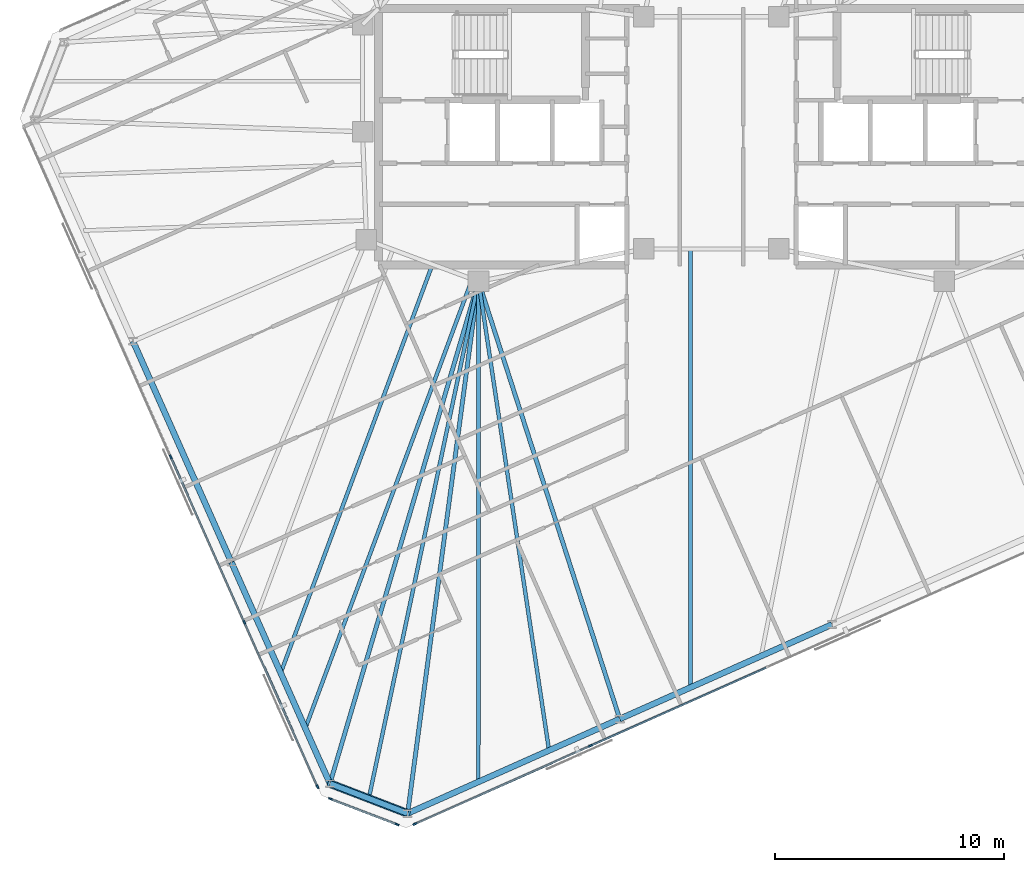
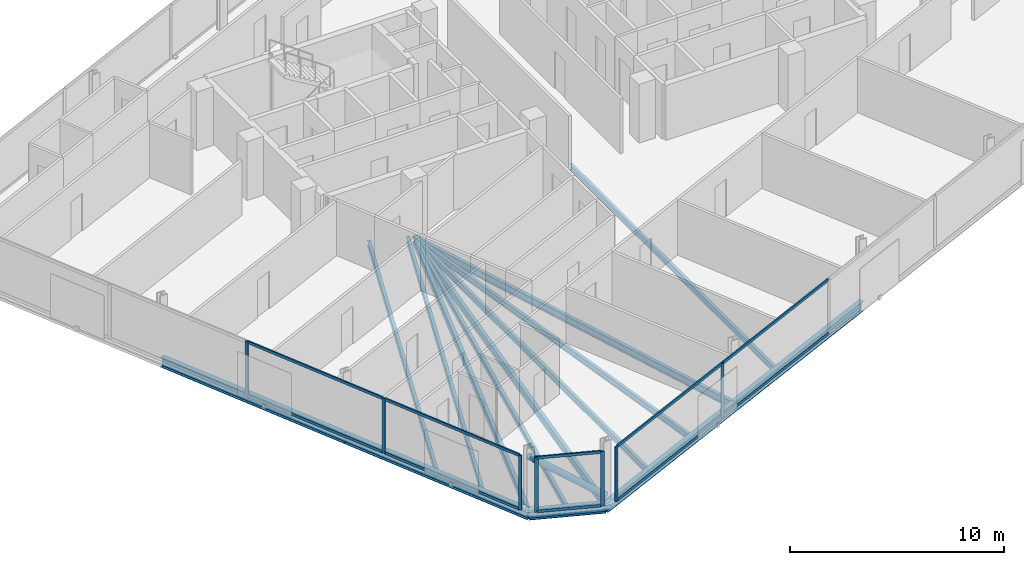
# One storey, part 5 of 19: 18 members, 14 beams, 3 elements without a shape of their own.
"""IFC4 building model written with IfcOpenShell, lengths in metres."""

import ifcopenshell
import ifcopenshell.guid

model = None  # the IFC model being written
_history = None  # IfcOwnerHistory: only IFC2X3 demands one
_inside = {}  # id of a spatial element -> (the spatial element, [elements in it])
_under = {}  # id of a project, library or spatial element -> (it, [spatial elements below it])
_declared = {}  # id of a project -> (the project, [libraries it declares])
_typed = {}  # id of a type object -> (the type object, [elements of that type])
_made_of = {}  # id of a material, layer set ... -> (it, [elements and type objects made of it])


def new_model(schema):
    """Start an empty IFC model of exactly this schema.

    Asked for "IFC4X3", IfcOpenShell would pick the latest addendum, in which some entities
    have other attributes; the version numbers below select the first issue.
    IFC2X3 requires an IfcOwnerHistory on every rooted entity: one is made here for all.
    """
    global model, _history
    if schema == "IFC4X3":
        model = ifcopenshell.file(schema_version=(4, 3, 0, 0))
    else:
        model = ifcopenshell.file(schema=schema)
    _inside.clear()
    _under.clear()
    _declared.clear()
    _typed.clear()
    _made_of.clear()
    _history = None
    if model.schema == "IFC2X3":
        org = make("IfcOrganization", Name="unknown")
        user = make(
            "IfcPersonAndOrganization",
            ThePerson=make("IfcPerson", FamilyName="unknown"),
            TheOrganization=org,
        )
        app = make(
            "IfcApplication",
            ApplicationDeveloper=org,
            Version="unknown",
            ApplicationFullName="unknown",
            ApplicationIdentifier="unknown",
        )
        _history = make(
            "IfcOwnerHistory",
            OwningUser=user,
            OwningApplication=app,
            ChangeAction="ADDED",
            CreationDate=0,
        )
    return model


def make(cls, **values):
    """One entity of the class cls with the attributes given. An attribute that is None is left unset."""
    return model.create_entity(
        cls, **{name: value for name, value in values.items() if value is not None}
    )


def rooted(cls, **values):
    """An entity with a GlobalId (a new one), such as an element, a storey or a relation."""
    return make(cls, GlobalId=ifcopenshell.guid.new(), OwnerHistory=_history, **values)


def si_unit(unit_type, name, prefix=None):
    """IfcSIUnit, for example si_unit("LENGTHUNIT", "METRE", prefix="MILLI")."""
    return make("IfcSIUnit", UnitType=unit_type, Prefix=prefix, Name=name)


def assignment(units):
    """IfcUnitAssignment: the units of a project."""
    return None if units is None else make("IfcUnitAssignment", Units=units)


def point(xyz):
    """IfcCartesianPoint."""
    return None if xyz is None else make("IfcCartesianPoint", Coordinates=xyz)


def direction(xyz):
    """IfcDirection."""
    return None if xyz is None else make("IfcDirection", DirectionRatios=xyz)


def frame(location, z_axis=None, x_axis=None):
    """IfcAxis2Placement3D, a coordinate frame: its origin and axes. An axis left out is left unset."""
    return make(
        "IfcAxis2Placement3D",
        Location=point(location),
        Axis=direction(z_axis),
        RefDirection=direction(x_axis),
    )


def frame_2d(location, x_axis=None):
    """IfcAxis2Placement2D, a coordinate frame in the plane: its origin and x axis."""
    return make(
        "IfcAxis2Placement2D", Location=point(location), RefDirection=direction(x_axis)
    )


def origin():
    """The frame at (0, 0, 0) with its axes left unset."""
    return frame((0.0, 0.0, 0.0))


def origin_2d():
    """The frame at (0, 0) in the plane with its x axis left unset."""
    return frame_2d((0.0, 0.0))


def place(relative_to, where):
    """IfcLocalPlacement: puts the frame where relative to a parent placement (None: the world)."""
    return make(
        "IfcLocalPlacement", PlacementRelTo=relative_to, RelativePlacement=where
    )


def context(
    kind, dimensions, precision=None, world=None, true_north=None, identifier=None
):
    """IfcGeometricRepresentationContext, for example the 3D "Model" context."""
    return make(
        "IfcGeometricRepresentationContext",
        ContextIdentifier=identifier,
        ContextType=kind,
        CoordinateSpaceDimension=dimensions,
        Precision=precision,
        WorldCoordinateSystem=world,
        TrueNorth=true_north,
    )


def subcontext(parent, identifier, kind, view, scale=None):
    """IfcGeometricRepresentationSubContext, for example "Body" below "Model"."""
    return make(
        "IfcGeometricRepresentationSubContext",
        ContextIdentifier=identifier,
        ContextType=kind,
        ParentContext=parent,
        TargetScale=scale,
        TargetView=view,
    )


def project(units=None, contexts=None):
    """IfcProject with its units and contexts."""
    return rooted(
        "IfcProject",
        Name="project",
        RepresentationContexts=contexts,
        UnitsInContext=assignment(units),
    )


def spatial(cls, under=None, at=None, **own):
    """A site, building, storey or space (cls), placed at a placement, below another one or the project."""
    s = rooted(cls, ObjectPlacement=at, **own)
    if under is not None:
        _under.setdefault(under.id(), (under, []))[1].append(s)
    return s


def profile(cls, at=None, kind="AREA", **sizes):
    """A parametric profile (cls). Its sizes go by their IFC names, for example OverallWidth=200.0."""
    return make(cls, ProfileType=kind, Position=at, **sizes)


def rectangle(**sizes):
    """IfcRectangleProfileDef."""
    return profile("IfcRectangleProfileDef", **sizes)


def hollow_circle(**sizes):
    """IfcCircleHollowProfileDef."""
    return profile("IfcCircleHollowProfileDef", **sizes)


def i_section(**sizes):
    """IfcIShapeProfileDef."""
    return profile("IfcIShapeProfileDef", **sizes)


def extrude(swept, where, along, depth):
    """IfcExtrudedAreaSolid: the profile swept, set in the frame where, extruded along a direction by depth."""
    return make(
        "IfcExtrudedAreaSolid",
        SweptArea=swept,
        Position=where,
        ExtrudedDirection=direction(along),
        Depth=depth,
    )


def shape(context_of_items, identifier, shape_type, items):
    """IfcShapeRepresentation: the items that make up one representation, for example the "Body"."""
    return make(
        "IfcShapeRepresentation",
        ContextOfItems=context_of_items,
        RepresentationIdentifier=identifier,
        RepresentationType=shape_type,
        Items=items,
    )


def material(Name=None, Category=None):
    """IfcMaterial."""
    return make("IfcMaterial", Name=Name, Category=Category)


def material_profile(
    of_material, cross_section, Name=None, Category=None, Priority=None
):
    """IfcMaterialProfile: a cross section and its material."""
    return make(
        "IfcMaterialProfile",
        Name=Name,
        Material=of_material,
        Profile=cross_section,
        Priority=Priority,
        Category=Category,
    )


def profile_set(profiles, Name=None, composite=None):
    """IfcMaterialProfileSet."""
    return make(
        "IfcMaterialProfileSet",
        Name=Name,
        MaterialProfiles=profiles,
        CompositeProfile=composite,
    )


def made_of(thing, what):
    """Note that an element or type object is made of a material, layer set ...; save() writes the relation."""
    if what is not None:
        _made_of.setdefault(what.id(), (what, []))[1].append(thing)
    return thing


def type_object(cls, material=None, **own):
    """A type object (cls), such as IfcWallType, which elements share."""
    return made_of(rooted(cls, **own), material)


def element(
    cls,
    number,
    at=None,
    inside=None,
    cuts=None,
    type_object=None,
    material=None,
    context=None,
    identifier="Body",
    shape_type=None,
    held_by="IfcProductDefinitionShape",
    body=None,
    shapes=None,
    **own,
):
    """One element of the class cls, such as IfcWall. Its Tag is "e" and its number.

    at: its placement. inside: the storey or other place that contains it. cuts: it is an
    opening in that element (IfcRelVoidsElement). A single representation is given by context,
    identifier, shape_type and body (its items); several are given by shapes. held_by: the class
    of the entity that holds the representations. save() writes the other relations.
    """
    e = rooted(cls, Tag="e%d" % number, ObjectPlacement=at, **own)
    if body is not None:
        shapes = [shape(context, identifier, shape_type, body)]
    if shapes is not None:
        e.Representation = make(held_by, Representations=shapes)
    if inside is not None:
        _inside.setdefault(inside.id(), (inside, []))[1].append(e)
    if cuts is not None:
        rooted(
            "IfcRelVoidsElement", RelatingBuildingElement=cuts, RelatedOpeningElement=e
        )
    if type_object is not None:
        _typed.setdefault(type_object.id(), (type_object, []))[1].append(e)
    return made_of(e, material)


def aggregate(whole, parts):
    """IfcRelAggregates: a whole, such as a stair, and the parts it consists of."""
    return rooted("IfcRelAggregates", RelatingObject=whole, RelatedObjects=parts)


def save(model, path):
    """Write the relations noted so far, then the file.

    IfcRelAggregates (storeys below a building ...), IfcRelContainedInSpatialStructure (elements
    in a storey), IfcRelDefinesByType, IfcRelAssociatesMaterial and IfcRelDeclares: one each for
    every whole, place, type object, material and project.
    """
    for whole, parts in _under.values():
        aggregate(whole, parts)
    for where, things in _inside.values():
        rooted(
            "IfcRelContainedInSpatialStructure",
            RelatedElements=things,
            RelatingStructure=where,
        )
    for kind, things in _typed.values():
        rooted("IfcRelDefinesByType", RelatedObjects=things, RelatingType=kind)
    for what, things in _made_of.values():
        rooted("IfcRelAssociatesMaterial", RelatedObjects=things, RelatingMaterial=what)
    for by, libraries in _declared.values():
        rooted("IfcRelDeclares", RelatingContext=by, RelatedDefinitions=libraries)
    model.write(path)


model = new_model("IFC4")

# Units and contexts
model_context = context("Model", 3, precision=1e-05, world=origin(), true_north=direction((0.0, 1.0)))
body_context = subcontext(model_context, "Body", "Model", "MODEL_VIEW")
ifc_project = project(units=[si_unit("LENGTHUNIT", "METRE"), si_unit("AREAUNIT", "SQUARE_METRE"), si_unit("VOLUMEUNIT", "CUBIC_METRE"), si_unit("PLANEANGLEUNIT", "RADIAN"), si_unit("MASSUNIT", "GRAM", prefix="KILO")], contexts=[model_context])

# Site, building, storey
site_placement = place(None, origin())
site = spatial("IfcSite", under=ifc_project, at=site_placement, CompositionType="ELEMENT")
building_placement = place(site_placement, origin())
building = spatial("IfcBuilding", under=site, at=building_placement, Name="Menara Jurai Vektor", CompositionType="ELEMENT")
storey_placement = place(building_placement, frame((0.0, 0.0, 288.60009765625)))
storey = spatial("IfcBuildingStorey", under=building, at=storey_placement, Name="L77", CompositionType="ELEMENT", Elevation=288.60009765625)

# Curtain wall, members
ifc_material_1 = material(Name="Anodised Pale Aluminium & Low-E Double Glazing", Category="aluminium")
curtain_wall_type = type_object("IfcCurtainWallType", Name="CW-BLK5", PredefinedType="NOTDEFINED", material=ifc_material_1)
curtain_wall_1_placement = place(storey_placement, origin())
curtain_wall_1 = element("IfcCurtainWall", 1, at=curtain_wall_1_placement, inside=storey, type_object=curtain_wall_type, Name="Unitised Curtain Wall L77 F01", PredefinedType="NOTDEFINED")
ifc_material_2 = material(Name="Anodised Pale Aluminium Mullion", Category="aluminium")
ifc_material_profile_1 = material_profile(ifc_material_2, rectangle(XDim=0.074951171875, YDim=0.175048828125, at=origin_2d()), Name="ALU MUL 75x175")
ifc_profile_set_1 = profile_set([ifc_material_profile_1], Name="Anodised Pale Aluminium Mullion")
member_type_1 = type_object("IfcMemberType", Name="CW-BLK5-MUL", PredefinedType="MULLION", material=ifc_profile_set_1)
member_1_placement = place(storey_placement, frame((-12.96875, -30.04052734375, 0.0), z_axis=(0.0, 0.0, 1.0), x_axis=(-0.406735498684, 0.913545967158, 0.0)))
member_1 = element("IfcMember", 2, at=member_1_placement, type_object=member_type_1, Name="CW-05 mullion 1", PredefinedType="MULLION", context=body_context, shape_type="SweptSolid", body=[
    extrude(rectangle(XDim=0.074951171875, YDim=0.175048828125, at=origin_2d()), origin(), (0.0, 0.0, 1.0), 3.125),
])
member_2_placement = place(storey_placement, frame((-5.292724609375, -26.623046875, 0.0), z_axis=(0.0, 0.0, 1.0), x_axis=(-0.406735498684, 0.913545967158, 0.0)))
member_2 = element("IfcMember", 3, at=member_2_placement, type_object=member_type_1, Name="CW-05 mullion 2", PredefinedType="MULLION", context=body_context, shape_type="SweptSolid", body=[
    extrude(rectangle(XDim=0.074951171875, YDim=0.175048828125, at=origin_2d()), origin(), (0.0, 0.0, 1.0), 3.125),
])

curtain_wall_2_placement = place(storey_placement, origin())
curtain_wall_2 = element("IfcCurtainWall", 4, at=curtain_wall_2_placement, inside=storey, type_object=curtain_wall_type, Name="Unitised Curtain Wall L77 F07", PredefinedType="NOTDEFINED")
member_3_placement = place(storey_placement, frame((-23.635986328125, -13.991943359375, 0.0), z_axis=(0.0, 0.0, 1.0), x_axis=(0.913546127706, 0.406735138086, 0.0)))
member_3 = element("IfcMember", 5, at=member_3_placement, type_object=member_type_1, Name="CW-05 mullion 3", PredefinedType="MULLION", context=body_context, shape_type="SweptSolid", body=[
    extrude(rectangle(XDim=0.074951171875, YDim=0.175048828125, at=origin_2d()), origin(), (0.0, 0.0, 1.0), 3.125),
])
member_4_placement = place(storey_placement, frame((-20.418701171875, -21.21826171875, 0.0), z_axis=(0.0, 0.0, 1.0), x_axis=(0.913546127706, 0.406735138086, 0.0)))
member_4 = element("IfcMember", 6, at=member_4_placement, type_object=member_type_1, Name="CW-05 mullion 4", PredefinedType="MULLION", context=body_context, shape_type="SweptSolid", body=[
    extrude(rectangle(XDim=0.074951171875, YDim=0.175048828125, at=origin_2d()), origin(), (0.0, 0.0, 1.0), 3.125),
])
member_5_placement = place(storey_placement, frame((-17.216796875, -28.41015625, 0.0), z_axis=(0.0, 0.0, 1.0), x_axis=(0.913546127706, 0.406735138086, 0.0)))
member_5 = element("IfcMember", 7, at=member_5_placement, type_object=member_type_1, Name="CW-05 mullion 5", PredefinedType="MULLION", context=body_context, shape_type="SweptSolid", body=[
    extrude(rectangle(XDim=0.074951171875, YDim=0.175048828125, at=origin_2d()), origin(), (0.0, 0.0, 1.0), 3.125),
])

curtain_wall_3_placement = place(storey_placement, origin())
curtain_wall_3 = element("IfcCurtainWall", 8, at=curtain_wall_3_placement, inside=storey, type_object=curtain_wall_type, Name="Unitised Curtain Wall L77 F08", PredefinedType="NOTDEFINED")
member_6_placement = place(storey_placement, frame((-16.656982421875, -28.94091796875, 0.0), z_axis=(0.0, 0.0, 1.0), x_axis=(0.358373766287, 0.933578193639, 0.0)))
member_6 = element("IfcMember", 9, at=member_6_placement, type_object=member_type_1, Name="CW-05 mullion 1", PredefinedType="MULLION", context=body_context, shape_type="SweptSolid", body=[
    extrude(rectangle(XDim=0.074951171875, YDim=0.175048828125, at=origin_2d()), origin(), (0.0, 0.0, 1.0), 3.125),
])
member_7_placement = place(storey_placement, frame((-13.739990234375, -30.060791015625, 0.0), z_axis=(0.0, 0.0, 1.0), x_axis=(0.358373766287, 0.933578193639, 0.0)))
member_7 = element("IfcMember", 10, at=member_7_placement, type_object=member_type_1, Name="CW-05 mullion 2", PredefinedType="MULLION", context=body_context, shape_type="SweptSolid", body=[
    extrude(rectangle(XDim=0.074951171875, YDim=0.175048828125, at=origin_2d()), origin(), (0.0, 0.0, 1.0), 3.125),
])

# Member
ifc_material_3 = material(Name="Anodised Pale Aluminium Transom", Category="aluminium")
ifc_material_profile_2 = material_profile(ifc_material_3, rectangle(XDim=0.074951171875, YDim=0.155029296875, at=origin_2d()), Name="ALU TRN 75x155")
ifc_profile_set_2 = profile_set([ifc_material_profile_2], Name="Anodised Pale Aluminium Transom")
member_type_2 = type_object("IfcMemberType", Name="CW-BLK5-TRN", PredefinedType="USERDEFINED", material=ifc_profile_set_2)
member_8_placement = place(storey_placement, frame((-12.9345703125, -30.025390625, 0.037353515625), z_axis=(0.913542963736, 0.406742244436, 0.0), x_axis=(-0.406742244436, 0.913542963736, 0.0)))
member_8 = element("IfcMember", 11, at=member_8_placement, type_object=member_type_2, Name="CW-05 transom 1.1", ObjectType="TRANSOM", PredefinedType="USERDEFINED", context=body_context, shape_type="SweptSolid", body=[
    extrude(rectangle(XDim=0.074951171875, YDim=0.155029296875, at=origin_2d()), origin(), (0.0, 0.0, 1.0), 8.32763671875),
])

member_9_placement = place(storey_placement, frame((-12.9345703125, -30.025390625, 3.08740234375), z_axis=(0.913542963736, 0.406742244436, 0.0), x_axis=(-0.406742244436, 0.913542963736, 0.0)))
member_9 = element("IfcMember", 12, at=member_9_placement, type_object=member_type_2, Name="CW-05 transom 1.2", ObjectType="TRANSOM", PredefinedType="USERDEFINED", context=body_context, shape_type="SweptSolid", body=[
    extrude(rectangle(XDim=0.074951171875, YDim=0.155029296875, at=origin_2d()), origin(), (0.0, 0.0, 1.0), 8.32763671875),
])

member_10_placement = place(storey_placement, frame((-5.25830078125, -26.60791015625, 0.037353515625), z_axis=(0.913541747007, 0.406744977198, 0.0), x_axis=(-0.406744977198, 0.913541747007, 0.0)))
member_10 = element("IfcMember", 13, at=member_10_placement, type_object=member_type_2, Name="CW-05 transom 2.1", ObjectType="TRANSOM", PredefinedType="USERDEFINED", context=body_context, shape_type="SweptSolid", body=[
    extrude(rectangle(XDim=0.074951171875, YDim=0.155029296875, at=origin_2d()), origin(), (0.0, 0.0, 1.0), 8.36474609375),
])

member_11_placement = place(storey_placement, frame((-5.25830078125, -26.60791015625, 3.08740234375), z_axis=(0.913541747007, 0.406744977198, 0.0), x_axis=(-0.406744977198, 0.913541747007, 0.0)))
member_11 = element("IfcMember", 14, at=member_11_placement, type_object=member_type_2, Name="CW-05 transom 2.2", ObjectType="TRANSOM", PredefinedType="USERDEFINED", context=body_context, shape_type="SweptSolid", body=[
    extrude(rectangle(XDim=0.074951171875, YDim=0.155029296875, at=origin_2d()), origin(), (0.0, 0.0, 1.0), 8.36474609375),
])

aggregate(curtain_wall_1, [member_1, member_2, member_8, member_9, member_10, member_11])

member_12_placement = place(storey_placement, frame((-23.620849609375, -14.0263671875, 0.037353515625), z_axis=(0.40674264085, -0.913542787238, 0.0), x_axis=(0.913542787238, 0.40674264085, 0.0)))
member_12 = element("IfcMember", 15, at=member_12_placement, type_object=member_type_2, Name="CW-05 transom 3.1", ObjectType="TRANSOM", PredefinedType="USERDEFINED", context=body_context, shape_type="SweptSolid", body=[
    extrude(rectangle(XDim=0.074951171875, YDim=0.155029296875, at=origin_2d()), origin(), (0.0, 0.0, 1.0), 7.8349609375),
])

member_13_placement = place(storey_placement, frame((-23.620849609375, -14.0263671875, 3.08740234375), z_axis=(0.40674264085, -0.913542787238, 0.0), x_axis=(0.913542787238, 0.40674264085, 0.0)))
member_13 = element("IfcMember", 16, at=member_13_placement, type_object=member_type_2, Name="CW-05 transom 3.2", ObjectType="TRANSOM", PredefinedType="USERDEFINED", context=body_context, shape_type="SweptSolid", body=[
    extrude(rectangle(XDim=0.074951171875, YDim=0.155029296875, at=origin_2d()), origin(), (0.0, 0.0, 1.0), 7.8349609375),
])

member_14_placement = place(storey_placement, frame((-20.403564453125, -21.25244140625, 0.037353515625), z_axis=(0.406751345283, -0.913538911656, 0.0), x_axis=(0.913538911656, 0.406751345283, 0.0)))
member_14 = element("IfcMember", 17, at=member_14_placement, type_object=member_type_2, Name="CW-05 transom 4.1", ObjectType="TRANSOM", PredefinedType="USERDEFINED", context=body_context, shape_type="SweptSolid", body=[
    extrude(rectangle(XDim=0.074951171875, YDim=0.155029296875, at=origin_2d()), origin(), (0.0, 0.0, 1.0), 7.79736328125),
])

member_15_placement = place(storey_placement, frame((-20.403564453125, -21.25244140625, 3.08740234375), z_axis=(0.406751345283, -0.913538911656, 0.0), x_axis=(0.913538911656, 0.406751345283, 0.0)))
member_15 = element("IfcMember", 18, at=member_15_placement, type_object=member_type_2, Name="CW-05 transom 4.2", ObjectType="TRANSOM", PredefinedType="USERDEFINED", context=body_context, shape_type="SweptSolid", body=[
    extrude(rectangle(XDim=0.074951171875, YDim=0.155029296875, at=origin_2d()), origin(), (0.0, 0.0, 1.0), 7.79736328125),
])

aggregate(curtain_wall_2, [member_3, member_4, member_5, member_12, member_13, member_14, member_15])

member_16_placement = place(storey_placement, frame((-16.6220703125, -28.95458984375, 0.037353515625), z_axis=(0.933597094911, -0.358324523823, 0.0), x_axis=(0.358324523823, 0.933597094911, 0.0)))
member_16 = element("IfcMember", 19, at=member_16_placement, type_object=member_type_2, Name="CW-05 transom 1.1", ObjectType="TRANSOM", PredefinedType="USERDEFINED", context=body_context, shape_type="SweptSolid", body=[
    extrude(rectangle(XDim=0.074951171875, YDim=0.155029296875, at=origin_2d()), origin(), (0.0, 0.0, 1.0), 3.049560546875),
])

member_17_placement = place(storey_placement, frame((-16.6220703125, -28.95458984375, 3.08740234375), z_axis=(0.933597094911, -0.358324523823, 0.0), x_axis=(0.358324523823, 0.933597094911, 0.0)))
member_17 = element("IfcMember", 20, at=member_17_placement, type_object=member_type_2, Name="CW-05 transom 1.2", ObjectType="TRANSOM", PredefinedType="USERDEFINED", context=body_context, shape_type="SweptSolid", body=[
    extrude(rectangle(XDim=0.074951171875, YDim=0.155029296875, at=origin_2d()), origin(), (0.0, 0.0, 1.0), 3.049560546875),
])

aggregate(curtain_wall_3, [member_6, member_7, member_16, member_17])

# Beams
ifc_material_4 = material(Name="Steel S355", Category="steel")
ifc_material_profile_3 = material_profile(ifc_material_4, i_section(OverallWidth=0.18505859375, OverallDepth=0.429931640625, WebThickness=0.010986328125, FlangeThickness=0.01806640625, at=origin_2d()), Name="PG 430x185x76")
ifc_profile_set_3 = profile_set([ifc_material_profile_3], Name="Steel S355")
beam_type_1 = type_object("IfcBeamType", Name="STR-BM-430", PredefinedType="BEAM", material=ifc_profile_set_3)
beam_1_placement = place(storey_placement, frame((-13.279541015625, -29.576904296875, -0.440185546875), z_axis=(0.132109192855, 0.991235169454, 0.0), x_axis=(-0.991235169454, 0.132109192855, 0.0)))
element("IfcBeam", 21, at=beam_1_placement, inside=storey, type_object=beam_type_1, Name="Radial Floor Girder L77-S1", PredefinedType="BEAM", context=body_context, shape_type="SweptSolid", body=[
    extrude(i_section(OverallWidth=0.18505859375, OverallDepth=0.429931640625, WebThickness=0.010986328125, FlangeThickness=0.01806640625, at=origin_2d()), origin(), (0.0, 0.0, 1.0), 23.46240234375),
])
beam_2_placement = place(storey_placement, frame((-4.006103515625, -25.4482421875, -0.440185546875), z_axis=(-0.307158217721, 0.95165846252, 0.0), x_axis=(-0.95165846252, -0.307158217721, 0.0)))
element("IfcBeam", 22, at=beam_2_placement, inside=storey, type_object=beam_type_1, Name="Radial Floor Girder L77-S2", PredefinedType="BEAM", context=body_context, shape_type="SweptSolid", body=[
    extrude(i_section(OverallWidth=0.18505859375, OverallDepth=0.429931640625, WebThickness=0.010986328125, FlangeThickness=0.01806640625, at=origin_2d()), origin(), (0.0, 0.0, 1.0), 20.099853515625),
])
beam_3_placement = place(storey_placement, frame((-16.675537109375, -28.2734375, -0.440185546875), z_axis=(0.283723047838, 0.958906268686, 0.0), x_axis=(-0.958906268686, 0.283723047838, 0.0)))
element("IfcBeam", 23, at=beam_3_placement, inside=storey, type_object=beam_type_1, Name="Radial Floor Girder L77-W4", PredefinedType="BEAM", context=body_context, shape_type="SweptSolid", body=[
    extrude(i_section(OverallWidth=0.18505859375, OverallDepth=0.429931640625, WebThickness=0.010986328125, FlangeThickness=0.01806640625, at=origin_2d()), origin(), (0.0, 0.0, 1.0), 22.894287109375),
])

# Member
ifc_material_5 = material(Name="Steel S460", Category="steel")
ifc_material_profile_4 = material_profile(ifc_material_5, hollow_circle(Radius=0.177734375, WallThickness=0.01611328125, at=origin_2d()), Name="CHS 355.6x16")
ifc_profile_set_4 = profile_set([ifc_material_profile_4], Name="Steel S460")
member_type_3 = type_object("IfcMemberType", Name="STR-BR-356", PredefinedType="BRACE", material=ifc_profile_set_4)
member_18_placement = place(storey_placement, frame((-13.279541015625, -29.576904296875, 0.14990234375), z_axis=(-0.757054002265, 0.290575939475, 0.585179340931), x_axis=(-0.358335850414, -0.933592747566, 0.0)))
element("IfcMember", 24, at=member_18_placement, inside=storey, type_object=member_type_3, Name="Exoskeleton Corner Brace L77-4", PredefinedType="BRACE", context=body_context, shape_type="SweptSolid", body=[
    extrude(hollow_circle(Radius=0.177734375, WallThickness=0.01611328125, at=origin_2d()), origin(), (0.0, 0.0, 1.0), 4.48583984375),
])

# Beams
ifc_material_profile_5 = material_profile(ifc_material_4, i_section(OverallWidth=0.1650390625, OverallDepth=0.330078125, WebThickness=0.009033203125, FlangeThickness=0.013916015625, at=origin_2d()), Name="PG 330x165x46")
ifc_profile_set_5 = profile_set([ifc_material_profile_5], Name="Steel S355")
beam_type_2 = type_object("IfcBeamType", Name="STR-JS-330", PredefinedType="JOIST", material=ifc_profile_set_5)
beam_4_placement = place(storey_placement, frame((-10.188232421875, -28.20068359375, -0.39013671875), z_axis=(0.000379366876, 0.99999992804, 0.0), x_axis=(-0.99999992804, 0.000379366876, 0.0)))
element("IfcBeam", 25, at=beam_4_placement, inside=storey, type_object=beam_type_2, Name="Radial Secondary Floor Joist L77-JS01", PredefinedType="JOIST", context=body_context, shape_type="SweptSolid", body=[
    extrude(i_section(OverallWidth=0.1650390625, OverallDepth=0.330078125, WebThickness=0.009033203125, FlangeThickness=0.013916015625, at=origin_2d()), origin(), (0.0, 0.0, 1.0), 21.880615234375),
])
beam_5_placement = place(storey_placement, frame((-7.09716796875, -26.824462890625, -0.39013671875), z_axis=(-0.148675540239, 0.988886031722, 0.0), x_axis=(-0.988886031722, -0.148675540239, 0.0)))
element("IfcBeam", 26, at=beam_5_placement, inside=storey, type_object=beam_type_2, Name="Radial Secondary Floor Joist L77-JS02", PredefinedType="JOIST", context=body_context, shape_type="SweptSolid", body=[
    extrude(i_section(OverallWidth=0.1650390625, OverallDepth=0.330078125, WebThickness=0.009033203125, FlangeThickness=0.013916015625, at=origin_2d()), origin(), (0.0, 0.0, 1.0), 20.73486328125),
])
beam_6_placement = place(storey_placement, frame((-0.914794921875, -24.072021484375, -0.39013671875), z_axis=(0.0, 1.0, 0.0), x_axis=(-1.0, 0.0, 0.0)))
element("IfcBeam", 27, at=beam_6_placement, inside=storey, type_object=beam_type_2, Name="Radial Secondary Floor Joist L77-JS03", PredefinedType="JOIST", context=body_context, shape_type="SweptSolid", body=[
    extrude(i_section(OverallWidth=0.1650390625, OverallDepth=0.330078125, WebThickness=0.009033203125, FlangeThickness=0.013916015625, at=origin_2d()), origin(), (0.0, 0.0, 1.0), 19.172119140625),
])
beam_7_placement = place(storey_placement, frame((-18.828125, -23.4384765625, -0.39013671875), z_axis=(0.348177845571, 0.937428497462, 0.0), x_axis=(-0.937428497462, 0.348177845571, 0.0)))
element("IfcBeam", 28, at=beam_7_placement, inside=storey, type_object=beam_type_2, Name="Radial Secondary Floor Joist L77-JS29", PredefinedType="JOIST", context=body_context, shape_type="SweptSolid", body=[
    extrude(i_section(OverallWidth=0.1650390625, OverallDepth=0.330078125, WebThickness=0.009033203125, FlangeThickness=0.013916015625, at=origin_2d()), origin(), (0.0, 0.0, 1.0), 19.05859375),
])
beam_8_placement = place(storey_placement, frame((-17.751953125, -25.85595703125, -0.39013671875), z_axis=(0.348185651823, 0.937425598042, 0.0), x_axis=(-0.937425598042, 0.348185651823, 0.0)))
element("IfcBeam", 29, at=beam_8_placement, inside=storey, type_object=beam_type_2, Name="Radial Secondary Floor Joist L77-JS30", PredefinedType="JOIST", context=body_context, shape_type="SweptSolid", body=[
    extrude(i_section(OverallWidth=0.1650390625, OverallDepth=0.330078125, WebThickness=0.009033203125, FlangeThickness=0.013916015625, at=origin_2d()), origin(), (0.0, 0.0, 1.0), 20.949951171875),
])
beam_9_placement = place(storey_placement, frame((-14.9775390625, -28.92529296875, -0.39013671875), z_axis=(0.207610208592, 0.978211634202, 0.0), x_axis=(-0.978211634202, 0.207610208592, 0.0)))
element("IfcBeam", 30, at=beam_9_placement, inside=storey, type_object=beam_type_2, Name="Radial Secondary Floor Joist L77-JS31", PredefinedType="JOIST", context=body_context, shape_type="SweptSolid", body=[
    extrude(i_section(OverallWidth=0.1650390625, OverallDepth=0.330078125, WebThickness=0.009033203125, FlangeThickness=0.013916015625, at=origin_2d()), origin(), (0.0, 0.0, 1.0), 23.108642578125),
])
ifc_material_profile_6 = material_profile(ifc_material_4, i_section(OverallWidth=0.260009765625, OverallDepth=0.570068359375, WebThickness=0.013916015625, FlangeThickness=0.02392578125, at=origin_2d()), Name="PG 570x260x145")
ifc_profile_set_6 = profile_set([ifc_material_profile_6], Name="Steel S355")
beam_type_3 = type_object("IfcBeamType", Name="STR-SP-570", PredefinedType="SPANDREL", material=ifc_profile_set_6)
beam_10_placement = place(storey_placement, frame((-13.279541015625, -29.576904296875, -0.510009765625), z_axis=(0.913550519143, 0.406725274569, 0.0), x_axis=(-0.406725274569, 0.913550519143, 0.0)))
element("IfcBeam", 31, at=beam_10_placement, inside=storey, type_object=beam_type_3, Name="Exoskeleton Spandrel Beam L77-01", PredefinedType="SPANDREL", context=body_context, shape_type="SweptSolid", body=[
    extrude(i_section(OverallWidth=0.260009765625, OverallDepth=0.570068359375, WebThickness=0.013916015625, FlangeThickness=0.02392578125, at=origin_2d()), origin(), (0.0, 0.0, 1.0), 10.15087890625),
])
beam_11_placement = place(storey_placement, frame((-4.006103515625, -25.4482421875, -0.510009765625), z_axis=(0.913545561407, 0.406736410017, 0.0), x_axis=(-0.406736410017, 0.913545561407, 0.0)))
element("IfcBeam", 32, at=beam_11_placement, inside=storey, type_object=beam_type_3, Name="Exoskeleton Spandrel Beam L77-02", PredefinedType="SPANDREL", context=body_context, shape_type="SweptSolid", body=[
    extrude(i_section(OverallWidth=0.260009765625, OverallDepth=0.570068359375, WebThickness=0.013916015625, FlangeThickness=0.02392578125, at=origin_2d()), origin(), (0.0, 0.0, 1.0), 10.1513671875),
])
for number, where, z_axis, x_axis, name in (
    (33, (-25.286376953125, -8.933349609375, -0.510009765625), (0.406744000616, -0.913542181819, 0.0), (0.913542181819, 0.406744000616, 0.0), "Exoskeleton Spandrel Beam L77-18"),
    (34, (-20.98095703125, -18.603271484375, -0.510009765625), (0.40673543049, -0.91354599752, 0.0), (0.91354599752, 0.40673543049, 0.0), "Exoskeleton Spandrel Beam L77-19"),
):
    element("IfcBeam", number, at=place(storey_placement, frame(where, z_axis=z_axis, x_axis=x_axis)), inside=storey, type_object=beam_type_3, Name=name, PredefinedType="SPANDREL", context=body_context, shape_type="SweptSolid", body=[
        extrude(i_section(OverallWidth=0.260009765625, OverallDepth=0.570068359375, WebThickness=0.013916015625, FlangeThickness=0.02392578125, at=origin_2d()), origin(), (0.0, 0.0, 1.0), 10.585205078125),
    ])
beam_12_placement = place(storey_placement, frame((-16.675537109375, -28.2734375, -0.510009765625), z_axis=(0.933592747566, -0.358335850414, 0.0), x_axis=(0.358335850414, 0.933592747566, 0.0)))
element("IfcBeam", 35, at=beam_12_placement, inside=storey, type_object=beam_type_3, Name="Exoskeleton Spandrel Beam L77-20", PredefinedType="SPANDREL", context=body_context, shape_type="SweptSolid", body=[
    extrude(i_section(OverallWidth=0.260009765625, OverallDepth=0.570068359375, WebThickness=0.013916015625, FlangeThickness=0.02392578125, at=origin_2d()), origin(), (0.0, 0.0, 1.0), 3.637451171875),
])

save(model, "model.ifc")
